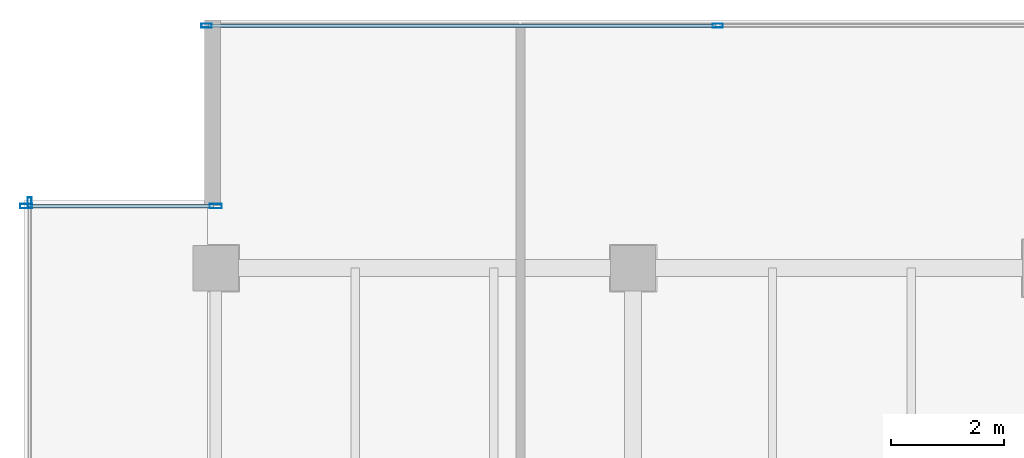
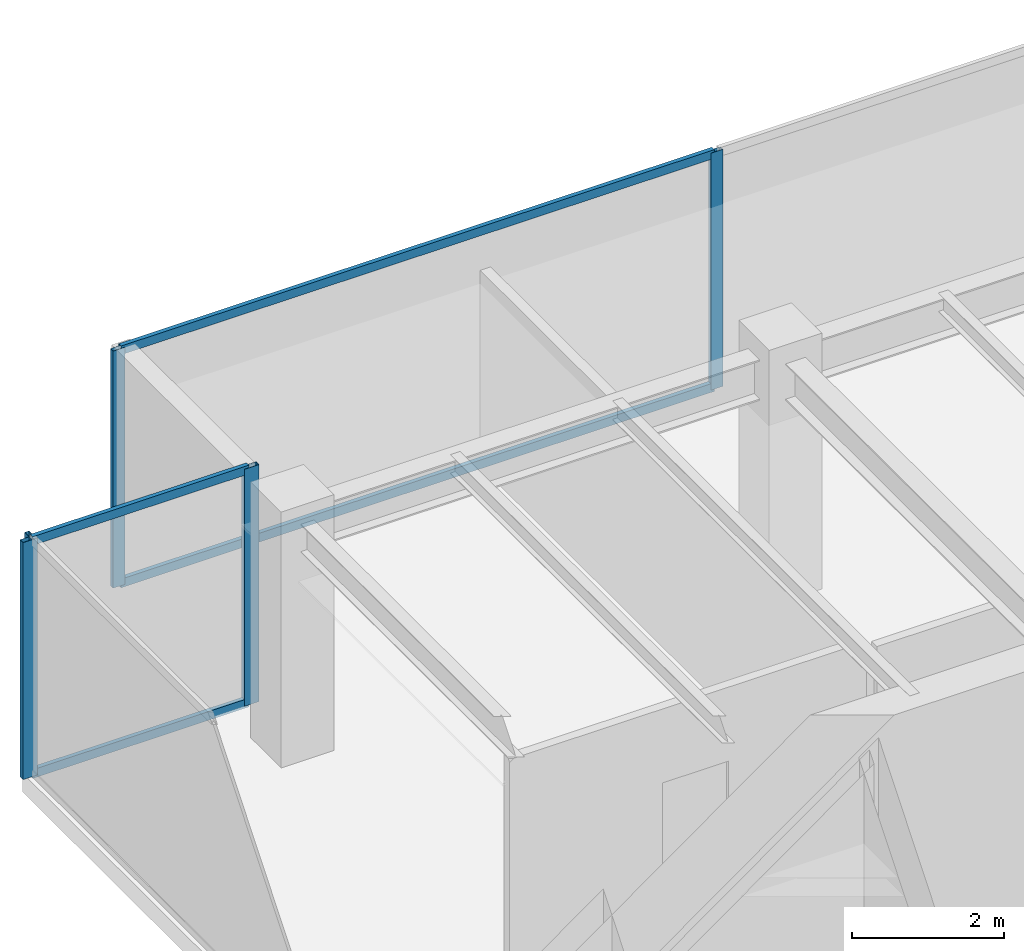
# One storey, part 15 of 35: 9 members, 3 elements without a shape of their own.
"""IFC4 building model written with IfcOpenShell, lengths in metres."""

import ifcopenshell
import ifcopenshell.guid

model = None  # the IFC model being written
_history = None  # IfcOwnerHistory: only IFC2X3 demands one
_inside = {}  # id of a spatial element -> (the spatial element, [elements in it])
_under = {}  # id of a project, library or spatial element -> (it, [spatial elements below it])
_declared = {}  # id of a project -> (the project, [libraries it declares])
_typed = {}  # id of a type object -> (the type object, [elements of that type])
_made_of = {}  # id of a material, layer set ... -> (it, [elements and type objects made of it])


def new_model(schema):
    """Start an empty IFC model of exactly this schema.

    Asked for "IFC4X3", IfcOpenShell would pick the latest addendum, in which some entities
    have other attributes; the version numbers below select the first issue.
    IFC2X3 requires an IfcOwnerHistory on every rooted entity: one is made here for all.
    """
    global model, _history
    if schema == "IFC4X3":
        model = ifcopenshell.file(schema_version=(4, 3, 0, 0))
    else:
        model = ifcopenshell.file(schema=schema)
    _inside.clear()
    _under.clear()
    _declared.clear()
    _typed.clear()
    _made_of.clear()
    _history = None
    if model.schema == "IFC2X3":
        org = make("IfcOrganization", Name="unknown")
        user = make(
            "IfcPersonAndOrganization",
            ThePerson=make("IfcPerson", FamilyName="unknown"),
            TheOrganization=org,
        )
        app = make(
            "IfcApplication",
            ApplicationDeveloper=org,
            Version="unknown",
            ApplicationFullName="unknown",
            ApplicationIdentifier="unknown",
        )
        _history = make(
            "IfcOwnerHistory",
            OwningUser=user,
            OwningApplication=app,
            ChangeAction="ADDED",
            CreationDate=0,
        )
    return model


def make(cls, **values):
    """One entity of the class cls with the attributes given. An attribute that is None is left unset."""
    return model.create_entity(
        cls, **{name: value for name, value in values.items() if value is not None}
    )


def rooted(cls, **values):
    """An entity with a GlobalId (a new one), such as an element, a storey or a relation."""
    return make(cls, GlobalId=ifcopenshell.guid.new(), OwnerHistory=_history, **values)


def si_unit(unit_type, name, prefix=None):
    """IfcSIUnit, for example si_unit("LENGTHUNIT", "METRE", prefix="MILLI")."""
    return make("IfcSIUnit", UnitType=unit_type, Prefix=prefix, Name=name)


def assignment(units):
    """IfcUnitAssignment: the units of a project."""
    return None if units is None else make("IfcUnitAssignment", Units=units)


def point(xyz):
    """IfcCartesianPoint."""
    return None if xyz is None else make("IfcCartesianPoint", Coordinates=xyz)


def direction(xyz):
    """IfcDirection."""
    return None if xyz is None else make("IfcDirection", DirectionRatios=xyz)


def frame(location, z_axis=None, x_axis=None):
    """IfcAxis2Placement3D, a coordinate frame: its origin and axes. An axis left out is left unset."""
    return make(
        "IfcAxis2Placement3D",
        Location=point(location),
        Axis=direction(z_axis),
        RefDirection=direction(x_axis),
    )


def frame_2d(location, x_axis=None):
    """IfcAxis2Placement2D, a coordinate frame in the plane: its origin and x axis."""
    return make(
        "IfcAxis2Placement2D", Location=point(location), RefDirection=direction(x_axis)
    )


def origin():
    """The frame at (0, 0, 0) with its axes left unset."""
    return frame((0.0, 0.0, 0.0))


def origin_2d():
    """The frame at (0, 0) in the plane with its x axis left unset."""
    return frame_2d((0.0, 0.0))


def place(relative_to, where):
    """IfcLocalPlacement: puts the frame where relative to a parent placement (None: the world)."""
    return make(
        "IfcLocalPlacement", PlacementRelTo=relative_to, RelativePlacement=where
    )


def context(
    kind, dimensions, precision=None, world=None, true_north=None, identifier=None
):
    """IfcGeometricRepresentationContext, for example the 3D "Model" context."""
    return make(
        "IfcGeometricRepresentationContext",
        ContextIdentifier=identifier,
        ContextType=kind,
        CoordinateSpaceDimension=dimensions,
        Precision=precision,
        WorldCoordinateSystem=world,
        TrueNorth=true_north,
    )


def subcontext(parent, identifier, kind, view, scale=None):
    """IfcGeometricRepresentationSubContext, for example "Body" below "Model"."""
    return make(
        "IfcGeometricRepresentationSubContext",
        ContextIdentifier=identifier,
        ContextType=kind,
        ParentContext=parent,
        TargetScale=scale,
        TargetView=view,
    )


def project(units=None, contexts=None):
    """IfcProject with its units and contexts."""
    return rooted(
        "IfcProject",
        Name="project",
        RepresentationContexts=contexts,
        UnitsInContext=assignment(units),
    )


def spatial(cls, under=None, at=None, **own):
    """A site, building, storey or space (cls), placed at a placement, below another one or the project."""
    s = rooted(cls, ObjectPlacement=at, **own)
    if under is not None:
        _under.setdefault(under.id(), (under, []))[1].append(s)
    return s


def profile(cls, at=None, kind="AREA", **sizes):
    """A parametric profile (cls). Its sizes go by their IFC names, for example OverallWidth=200.0."""
    return make(cls, ProfileType=kind, Position=at, **sizes)


def hollow_rectangle(**sizes):
    """IfcRectangleHollowProfileDef."""
    return profile("IfcRectangleHollowProfileDef", **sizes)


def extrude(swept, where, along, depth):
    """IfcExtrudedAreaSolid: the profile swept, set in the frame where, extruded along a direction by depth."""
    return make(
        "IfcExtrudedAreaSolid",
        SweptArea=swept,
        Position=where,
        ExtrudedDirection=direction(along),
        Depth=depth,
    )


def shape(context_of_items, identifier, shape_type, items):
    """IfcShapeRepresentation: the items that make up one representation, for example the "Body"."""
    return make(
        "IfcShapeRepresentation",
        ContextOfItems=context_of_items,
        RepresentationIdentifier=identifier,
        RepresentationType=shape_type,
        Items=items,
    )


def source(mapping_origin, context_of_items, identifier, shape_type, items):
    """IfcRepresentationMap: a shape defined once, which mapped items show again and again."""
    return make(
        "IfcRepresentationMap",
        MappingOrigin=mapping_origin,
        MappedRepresentation=shape(context_of_items, identifier, shape_type, items),
    )


def transform(
    local_origin,
    x_axis=None,
    y_axis=None,
    z_axis=None,
    scale=None,
    scale2=None,
    scale3=None,
    uniform=True,
):
    """IfcCartesianTransformationOperator3D, or its non-uniform kind. x_axis, y_axis, z_axis: its Axis1, 2, 3."""
    if uniform:
        return make(
            "IfcCartesianTransformationOperator3D",
            Axis1=direction(x_axis),
            Axis2=direction(y_axis),
            LocalOrigin=point(local_origin),
            Scale=scale,
            Axis3=direction(z_axis),
        )
    return make(
        "IfcCartesianTransformationOperator3DnonUniform",
        Axis1=direction(x_axis),
        Axis2=direction(y_axis),
        LocalOrigin=point(local_origin),
        Scale=scale,
        Axis3=direction(z_axis),
        Scale2=scale2,
        Scale3=scale3,
    )


def mapped(mapping_source, mapping_target):
    """IfcMappedItem: shows the shape of a source again, moved by a transform."""
    return make(
        "IfcMappedItem", MappingSource=mapping_source, MappingTarget=mapping_target
    )


def material(Name=None, Category=None):
    """IfcMaterial."""
    return make("IfcMaterial", Name=Name, Category=Category)


def layer(
    of_material, thickness, ventilated=None, Name=None, Category=None, Priority=None
):
    """IfcMaterialLayer: one layer of a wall or slab, of a material (None: an air gap)."""
    return make(
        "IfcMaterialLayer",
        Material=of_material,
        LayerThickness=thickness,
        IsVentilated=ventilated,
        Name=Name,
        Category=Category,
        Priority=Priority,
    )


def layer_set(layers, Name=None):
    """IfcMaterialLayerSet."""
    return make("IfcMaterialLayerSet", MaterialLayers=layers, LayerSetName=Name)


def material_profile(
    of_material, cross_section, Name=None, Category=None, Priority=None
):
    """IfcMaterialProfile: a cross section and its material."""
    return make(
        "IfcMaterialProfile",
        Name=Name,
        Material=of_material,
        Profile=cross_section,
        Priority=Priority,
        Category=Category,
    )


def profile_set(profiles, Name=None, composite=None):
    """IfcMaterialProfileSet."""
    return make(
        "IfcMaterialProfileSet",
        Name=Name,
        MaterialProfiles=profiles,
        CompositeProfile=composite,
    )


def made_of(thing, what):
    """Note that an element or type object is made of a material, layer set ...; save() writes the relation."""
    if what is not None:
        _made_of.setdefault(what.id(), (what, []))[1].append(thing)
    return thing


def type_object(cls, material=None, **own):
    """A type object (cls), such as IfcWallType, which elements share."""
    return made_of(rooted(cls, **own), material)


def type_shapes(of_type, sources):
    """Give a type object the sources (RepresentationMaps) that its elements show as mapped items."""
    of_type.RepresentationMaps = sources


def element(
    cls,
    number,
    at=None,
    inside=None,
    cuts=None,
    type_object=None,
    material=None,
    context=None,
    identifier="Body",
    shape_type=None,
    held_by="IfcProductDefinitionShape",
    body=None,
    shapes=None,
    **own,
):
    """One element of the class cls, such as IfcWall. Its Tag is "e" and its number.

    at: its placement. inside: the storey or other place that contains it. cuts: it is an
    opening in that element (IfcRelVoidsElement). A single representation is given by context,
    identifier, shape_type and body (its items); several are given by shapes. held_by: the class
    of the entity that holds the representations. save() writes the other relations.
    """
    e = rooted(cls, Tag="e%d" % number, ObjectPlacement=at, **own)
    if body is not None:
        shapes = [shape(context, identifier, shape_type, body)]
    if shapes is not None:
        e.Representation = make(held_by, Representations=shapes)
    if inside is not None:
        _inside.setdefault(inside.id(), (inside, []))[1].append(e)
    if cuts is not None:
        rooted(
            "IfcRelVoidsElement", RelatingBuildingElement=cuts, RelatedOpeningElement=e
        )
    if type_object is not None:
        _typed.setdefault(type_object.id(), (type_object, []))[1].append(e)
    return made_of(e, material)


def aggregate(whole, parts):
    """IfcRelAggregates: a whole, such as a stair, and the parts it consists of."""
    return rooted("IfcRelAggregates", RelatingObject=whole, RelatedObjects=parts)


def save(model, path):
    """Write the relations noted so far, then the file.

    IfcRelAggregates (storeys below a building ...), IfcRelContainedInSpatialStructure (elements
    in a storey), IfcRelDefinesByType, IfcRelAssociatesMaterial and IfcRelDeclares: one each for
    every whole, place, type object, material and project.
    """
    for whole, parts in _under.values():
        aggregate(whole, parts)
    for where, things in _inside.values():
        rooted(
            "IfcRelContainedInSpatialStructure",
            RelatedElements=things,
            RelatingStructure=where,
        )
    for kind, things in _typed.values():
        rooted("IfcRelDefinesByType", RelatedObjects=things, RelatingType=kind)
    for what, things in _made_of.values():
        rooted("IfcRelAssociatesMaterial", RelatedObjects=things, RelatingMaterial=what)
    for by, libraries in _declared.values():
        rooted("IfcRelDeclares", RelatingContext=by, RelatedDefinitions=libraries)
    model.write(path)


model = new_model("IFC4")

# Units and contexts
model_context = context("Model", 3, precision=1e-05, world=origin(), true_north=direction((0.0, 1.0)))
body_context = subcontext(model_context, "Body", "Model", "MODEL_VIEW")
ifc_project = project(units=[si_unit("LENGTHUNIT", "METRE"), si_unit("AREAUNIT", "SQUARE_METRE"), si_unit("VOLUMEUNIT", "CUBIC_METRE"), si_unit("PLANEANGLEUNIT", "RADIAN"), si_unit("MASSUNIT", "GRAM", prefix="KILO")], contexts=[model_context])

# Site, building, storey
site_placement = place(None, origin())
site = spatial("IfcSite", under=ifc_project, at=site_placement, CompositionType="ELEMENT")
building_placement = place(site_placement, origin())
building = spatial("IfcBuilding", under=site, at=building_placement, Name="Haelvirn Gate Laboratories", CompositionType="ELEMENT")
storey_placement = place(building_placement, frame((0.0, 0.0, 234.199951171875)))
storey = spatial("IfcBuildingStorey", under=building, at=storey_placement, Name="L56", CompositionType="ELEMENT", Elevation=234.199951171875)

# Curtain wall, members
ifc_material_1 = material(Name="Anodised bronze unitised aluminium & triple low-E glass", Category="aluminium")
ifc_layer_1 = layer(ifc_material_1, 0.181884765625, Name="CW-SYS-5")
ifc_layer_set_1 = layer_set([ifc_layer_1], Name="Anodised bronze unitised aluminium & triple low-E glass")
curtain_wall_type_1 = type_object("IfcCurtainWallType", Name="CW-SYS-5", PredefinedType="NOTDEFINED", material=ifc_layer_set_1)
curtain_wall_1_placement = place(storey_placement, origin())
curtain_wall_1 = element("IfcCurtainWall", 1, at=curtain_wall_1_placement, inside=storey, type_object=curtain_wall_type_1, Name="L56 Unitised Curtain Wall CW-L56-P0-E16-1", PredefinedType="NOTDEFINED")
ifc_material_2 = material(Name="Extruded aluminium 6063-T6 (anodised bronze)", Category="aluminium")
ifc_material_profile_1 = material_profile(ifc_material_2, hollow_rectangle(XDim=0.06494140625, YDim=0.139892578125, WallThickness=0.00390625, at=origin_2d()), Name="CWT-140x65x4")
ifc_profile_set_1 = profile_set([ifc_material_profile_1], Name="Extruded aluminium 6063-T6 (anodised bronze)")
member_type_1 = type_object("IfcMemberType", Name="CWT-T140", PredefinedType="USERDEFINED", material=ifc_profile_set_1)
shared_shape_1 = source(origin(), body_context, "Body", "SweptSolid", [
    extrude(hollow_rectangle(XDim=0.06494140625, YDim=0.139892578125, WallThickness=0.00390625, at=origin_2d()), origin(), (0.0, 0.0, 1.0), 3.280029296875),
])
member_1_placement = place(storey_placement, frame((4.080078125, 42.699951171875, 0.032470703125), z_axis=(1.0, 0.0, 0.0), x_axis=(0.0, 1.0, 0.0)))
member_1 = element("IfcMember", 2, at=member_1_placement, type_object=member_type_1, Name="CW5 transom 1.1", ObjectType="TRANSOM", PredefinedType="USERDEFINED", context=body_context, shape_type="MappedRepresentation", body=[
    mapped(shared_shape_1, transform((0.0, 0.0, 0.0), scale=1.0)),
])
member_2_placement = place(storey_placement, frame((4.080078125, 42.699951171875, 3.767578125), z_axis=(1.0, 0.0, 0.0), x_axis=(0.0, 1.0, 0.0)))
member_2 = element("IfcMember", 3, at=member_2_placement, type_object=member_type_1, Name="CW5 transom 1.2", ObjectType="TRANSOM", PredefinedType="USERDEFINED", context=body_context, shape_type="MappedRepresentation", body=[
    mapped(shared_shape_1, transform((0.0, 0.0, 0.0), scale=1.0)),
])

ifc_layer_2 = layer(ifc_material_1, 0.176025390625, Name="CW-SYS-4")
ifc_layer_set_2 = layer_set([ifc_layer_2], Name="Anodised bronze unitised aluminium & triple low-E glass")
curtain_wall_type_2 = type_object("IfcCurtainWallType", Name="CW-SYS-4", PredefinedType="NOTDEFINED", material=ifc_layer_set_2)
curtain_wall_2_placement = place(storey_placement, origin())
curtain_wall_2 = element("IfcCurtainWall", 4, at=curtain_wall_2_placement, inside=storey, type_object=curtain_wall_type_2, Name="L56 Unitised Curtain Wall CW-L56-P0-E14-1", PredefinedType="NOTDEFINED")
ifc_material_profile_2 = material_profile(ifc_material_2, hollow_rectangle(XDim=0.070068359375, YDim=0.179931640625, WallThickness=0.0048828125, at=origin_2d()), Name="CWM-180x70x5")
ifc_profile_set_2 = profile_set([ifc_material_profile_2], Name="Extruded aluminium 6063-T6 (anodised bronze)")
member_type_2 = type_object("IfcMemberType", Name="CWM-T180", PredefinedType="MULLION", material=ifc_profile_set_2)
shared_shape_2 = source(origin(), body_context, "Body", "SweptSolid", [
    extrude(hollow_rectangle(XDim=0.070068359375, YDim=0.179931640625, WallThickness=0.0048828125, at=origin_2d()), origin(), (0.0, 0.0, 1.0), 3.800048828125),
])
type_shapes(member_type_2, [shared_shape_2])
member_3_placement = place(storey_placement, frame((7.235107421875, 45.89990234375, 0.0), z_axis=(0.0, 0.0, 1.0), x_axis=(0.0, 1.0, 0.0)))
member_3 = element("IfcMember", 5, at=member_3_placement, type_object=member_type_2, Name="CW4 mullion 1", PredefinedType="MULLION", context=body_context, shape_type="MappedRepresentation", body=[
    mapped(shared_shape_2, transform((0.0, 0.0, 0.0), scale=1.0)),
])
member_4_placement = place(storey_placement, frame((16.300048828125, 45.89990234375, 0.0), z_axis=(0.0, 0.0, 1.0), x_axis=(0.0, 1.0, 0.0)))
member_4 = element("IfcMember", 6, at=member_4_placement, type_object=member_type_2, Name="CW4 mullion 2", PredefinedType="MULLION", context=body_context, shape_type="MappedRepresentation", body=[
    mapped(shared_shape_2, transform((0.0, 0.0, 0.0), scale=1.0)),
])

# Curtain wall, member
curtain_wall_3_placement = place(storey_placement, origin())
curtain_wall_3 = element("IfcCurtainWall", 7, at=curtain_wall_3_placement, inside=storey, type_object=curtain_wall_type_2, Name="L56 Unitised Curtain Wall CW-L56-P0-E17", PredefinedType="NOTDEFINED")
member_5_placement = place(storey_placement, frame((4.10009765625, 42.764892578125, 0.0), z_axis=(0.0, 0.0, 1.0), x_axis=(1.0, 0.0, 0.0)))
member_5 = element("IfcMember", 8, at=member_5_placement, type_object=member_type_2, Name="CW4 mullion 1", PredefinedType="MULLION", context=body_context, shape_type="MappedRepresentation", body=[
    mapped(shared_shape_2, transform((0.0, 0.0, 0.0), scale=1.0)),
])
aggregate(curtain_wall_3, [member_5])

# Member
shared_shape_3 = source(origin(), body_context, "Body", "SweptSolid", [
    extrude(hollow_rectangle(XDim=0.06494140625, YDim=0.139892578125, WallThickness=0.00390625, at=origin_2d()), origin(), (0.0, 0.0, 1.0), 8.994873046875),
])
type_shapes(member_type_1, [shared_shape_1, shared_shape_3])
member_6_placement = place(storey_placement, frame((7.27001953125, 45.89990234375, 0.032470703125), z_axis=(1.0, 0.0, 0.0), x_axis=(0.0, 1.0, 0.0)))
member_6 = element("IfcMember", 9, at=member_6_placement, type_object=member_type_1, Name="CW4 transom 1.1", ObjectType="TRANSOM", PredefinedType="USERDEFINED", context=body_context, shape_type="MappedRepresentation", body=[
    mapped(shared_shape_3, transform((0.0, 0.0, 0.0), scale=1.0)),
])

member_7_placement = place(storey_placement, frame((7.27001953125, 45.89990234375, 3.767578125), z_axis=(1.0, 0.0, 0.0), x_axis=(0.0, 1.0, 0.0)))
member_7 = element("IfcMember", 10, at=member_7_placement, type_object=member_type_1, Name="CW4 transom 1.2", ObjectType="TRANSOM", PredefinedType="USERDEFINED", context=body_context, shape_type="MappedRepresentation", body=[
    mapped(shared_shape_3, transform((0.0, 0.0, 0.0), scale=1.0)),
])

aggregate(curtain_wall_2, [member_3, member_4, member_6, member_7])

ifc_material_profile_3 = material_profile(ifc_material_2, hollow_rectangle(XDim=0.080078125, YDim=0.219970703125, WallThickness=0.006103515625, at=origin_2d()), Name="CWM-220x80x6")
ifc_profile_set_3 = profile_set([ifc_material_profile_3], Name="Extruded aluminium 6063-T6 (anodised bronze)")
member_type_3 = type_object("IfcMemberType", Name="CWM-T220", PredefinedType="MULLION", material=ifc_profile_set_3)
shared_shape_4 = source(origin(), body_context, "Body", "SweptSolid", [
    extrude(hollow_rectangle(XDim=0.080078125, YDim=0.219970703125, WallThickness=0.006103515625, at=origin_2d()), origin(), (0.0, 0.0, 1.0), 3.800048828125),
])
type_shapes(member_type_3, [shared_shape_4])
member_8_placement = place(storey_placement, frame((4.0400390625, 42.699951171875, 0.0), z_axis=(0.0, 0.0, 1.0), x_axis=(0.0, 1.0, 0.0)))
member_8 = element("IfcMember", 11, at=member_8_placement, type_object=member_type_3, Name="CW5 mullion 1", PredefinedType="MULLION", context=body_context, shape_type="MappedRepresentation", body=[
    mapped(shared_shape_4, transform((0.0, 0.0, 0.0), scale=1.0)),
])

member_9_placement = place(storey_placement, frame((7.39990234375, 42.699951171875, 0.0), z_axis=(0.0, 0.0, 1.0), x_axis=(0.0, 1.0, 0.0)))
member_9 = element("IfcMember", 12, at=member_9_placement, type_object=member_type_3, Name="CW5 mullion 2", PredefinedType="MULLION", context=body_context, shape_type="MappedRepresentation", body=[
    mapped(shared_shape_4, transform((0.0, 0.0, 0.0), scale=1.0)),
])

aggregate(curtain_wall_1, [member_8, member_9, member_1, member_2])

save(model, "model.ifc")
